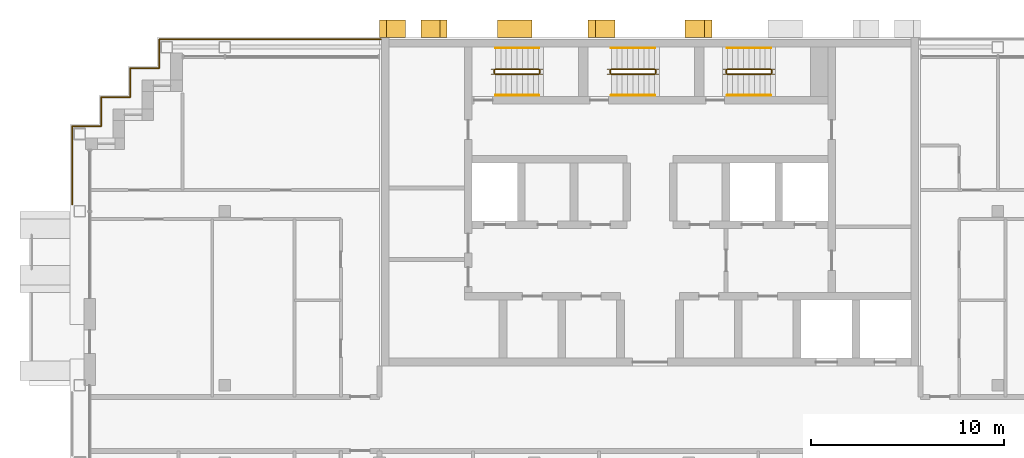
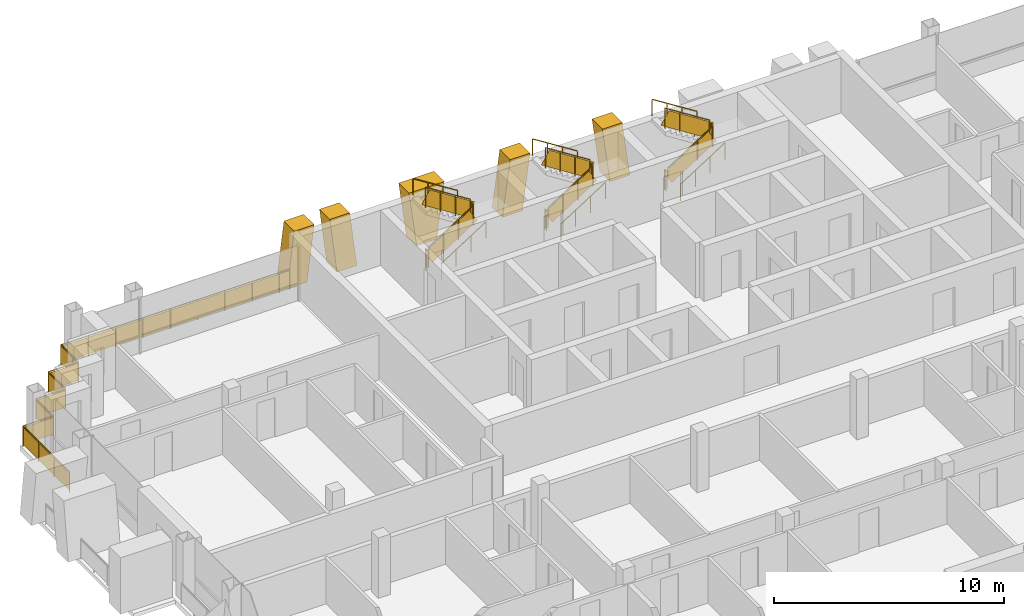
# One storey, part 15 of 16: 21 railings, 5 shading devices.
"""IFC4 building model written with IfcOpenShell, lengths in metres."""

from ifc_helpers import new_model, si_unit, direction, frame, origin, origin_2d, place, context, subcontext, project, spatial, polyline, rectangle, circle, outline, extrude, material, layer, layer_set, type_object, element, save


model = new_model("IFC4")

# Units and contexts
model_context = context("Model", 3, precision=1e-05, world=origin(), true_north=direction((0.0, 1.0)))
body_context = subcontext(model_context, "Body", "Model", "MODEL_VIEW")
ifc_project = project(units=[si_unit("LENGTHUNIT", "METRE"), si_unit("AREAUNIT", "SQUARE_METRE"), si_unit("VOLUMEUNIT", "CUBIC_METRE"), si_unit("PLANEANGLEUNIT", "RADIAN"), si_unit("MASSUNIT", "GRAM", prefix="KILO")], contexts=[model_context])

# Site, building, storey
site_placement = place(None, origin())
site = spatial("IfcSite", under=ifc_project, at=site_placement, CompositionType="ELEMENT")
building_placement = place(site_placement, origin())
building = spatial("IfcBuilding", under=site, at=building_placement, Name="Vidyagriha Tower", CompositionType="ELEMENT")
storey_placement = place(building_placement, frame((0.0, 0.0, 207.60009765625)))
storey = spatial("IfcBuildingStorey", under=building, at=storey_placement, Name="L53", CompositionType="ELEMENT", Elevation=207.60009765625)

# Shading devices
ifc_material_1 = material(Name="Precast concrete C40/50 with brick facing", Category="concrete")
ifc_layer_1 = layer(ifc_material_1, 1.0)
ifc_layer_set_1 = layer_set([ifc_layer_1], Name="Precast concrete C40/50 with brick facing")
shading_device_type_1 = type_object("IfcShadingDeviceType", Name="Brick-faced rear rib arm leaning 8 degrees", PredefinedType="USERDEFINED", material=ifc_layer_set_1)
shading_device_1_placement = place(storey_placement, frame((3.199951171875, 20.449951171875, 0.0), z_axis=(0.0, 0.0, 1.0), x_axis=(-1.0, 0.0, 0.0)))
element("IfcShadingDevice", 1, at=shading_device_1_placement, inside=storey, type_object=shading_device_type_1, Name="Rear rib arm L53 R08.3a", ObjectType="BLADE FIN", PredefinedType="USERDEFINED", context=body_context, shape_type="SweptSolid", body=[
    extrude(outline(polyline([(0.0, 0.0), (1.0, 0.0), (1.3857421875, 2.919921875), (0.3857421875, 2.919921875), (0.0, 0.0)])), frame((0.0, 0.449951171875, 0.0), z_axis=(0.0, -1.0, 0.0), x_axis=(1.0, 0.0, 0.0)), (0.0, 0.0, 1.0), 0.89990234375),
])
shading_device_2_placement = place(storey_placement, frame((-1.814208984375, 20.449951171875, 0.0), z_axis=(0.0, 0.0, 1.0), x_axis=(-1.0, 0.0, 0.0)))
element("IfcShadingDevice", 2, at=shading_device_2_placement, inside=storey, type_object=shading_device_type_1, Name="Rear rib arm L53 R08.3b", ObjectType="BLADE FIN", PredefinedType="USERDEFINED", context=body_context, shape_type="SweptSolid", body=[
    extrude(outline(polyline([(0.3857421875, 0.0), (1.3857421875, 0.0), (1.0, 2.919921875), (0.0, 2.919921875), (0.3857421875, 0.0)])), frame((0.0, 0.449951171875, 0.0), z_axis=(0.0, -1.0, 0.0), x_axis=(1.0, 0.0, 0.0)), (0.0, 0.0, 1.0), 0.89990234375),
])
shading_device_3_placement = place(storey_placement, frame((-10.5, 20.449951171875, 0.0), z_axis=(0.0, 0.0, 1.0), x_axis=(-1.0, 0.0, 0.0)))
element("IfcShadingDevice", 3, at=shading_device_3_placement, inside=storey, type_object=shading_device_type_1, Name="Rear rib arm L53 R08.5a", ObjectType="BLADE FIN", PredefinedType="USERDEFINED", context=body_context, shape_type="SweptSolid", body=[
    extrude(outline(polyline([(0.0, 0.0), (1.0, 0.0), (1.357177734375, 2.919921875), (0.357177734375, 2.919921875), (0.0, 0.0)])), frame((0.0, 0.449951171875, 0.0), z_axis=(0.0, -1.0, 0.0), x_axis=(1.0, 0.0, 0.0)), (0.0, 0.0, 1.0), 0.89990234375),
])
shading_device_4_placement = place(storey_placement, frame((-12.642822265625, 20.449951171875, 0.0), z_axis=(0.0, 0.0, 1.0), x_axis=(-1.0, 0.0, 0.0)))
element("IfcShadingDevice", 4, at=shading_device_4_placement, inside=storey, type_object=shading_device_type_1, Name="Rear rib arm L53 R08.5b", ObjectType="BLADE FIN", PredefinedType="USERDEFINED", context=body_context, shape_type="SweptSolid", body=[
    extrude(outline(polyline([(0.357177734375, 0.0), (1.357177734375, 0.0), (1.0, 2.919921875), (0.0, 2.919921875), (0.357177734375, 0.0)])), frame((0.0, 0.449951171875, 0.0), z_axis=(0.0, -1.0, 0.0), x_axis=(1.0, 0.0, 0.0)), (0.0, 0.0, 1.0), 0.89990234375),
])
ifc_material_2 = material(Name="Precast concrete C40/50 with brick facing", Category="concrete")
ifc_layer_2 = layer(ifc_material_2, 1.0)
ifc_layer_set_2 = layer_set([ifc_layer_2], Name="Precast concrete C40/50 with brick facing")
shading_device_type_2 = type_object("IfcShadingDeviceType", Name="Brick-faced rear rib forking 8 degrees", PredefinedType="USERDEFINED", material=ifc_layer_set_2)
shading_device_5_placement = place(storey_placement, frame((-6.1142578125, 20.449951171875, 0.0), z_axis=(0.0, 0.0, 1.0), x_axis=(-1.0, 0.0, 0.0)))
element("IfcShadingDevice", 5, at=shading_device_5_placement, inside=storey, type_object=shading_device_type_2, Name="Rear rib fork L53 R08.4a", ObjectType="BLADE FIN", PredefinedType="USERDEFINED", context=body_context, shape_type="SweptSolid", body=[
    extrude(outline(polyline([(0.3857421875, 0.0), (1.3857421875, 0.0), (1.771484375, 2.919921875), (0.0, 2.919921875), (0.3857421875, 0.0)])), frame((0.0, 0.449951171875, 0.0), z_axis=(0.0, -1.0, 0.0), x_axis=(1.0, 0.0, 0.0)), (0.0, 0.0, 1.0), 0.89990234375),
])

# Railings
ifc_material_3 = material(Name="Steel ASTM A500 Grade C black painted", Category="steel")
railing_type_1 = type_object("IfcRailingType", Name="Gallery guard 1100", PredefinedType="GUARDRAIL", material=ifc_material_3)
railing_1_placement = place(storey_placement, frame((-29.89990234375, 11.360107421875, 0.0)))
element("IfcRailing", 6, at=railing_1_placement, inside=storey, type_object=railing_type_1, Name="Gallery guard L53 4", PredefinedType="GUARDRAIL", context=body_context, shape_type="SweptSolid", body=[
    extrude(circle(Radius=0.02490234375, at=origin_2d()), frame((0.0, 0.0, 1.0751953125), z_axis=(0.0, 1.0, 0.0), x_axis=(-1.0, 0.0, 0.0)), (0.0, 0.0, 1.0), 4.039794921875),
    extrude(circle(Radius=0.02490234375, at=origin_2d()), frame((0.0, 4.039794921875, 1.0751953125), z_axis=(1.0, 0.0, 0.0), x_axis=(0.0, 1.0, 0.0)), (0.0, 0.0, 1.0), 1.5),
    extrude(circle(Radius=0.02490234375, at=origin_2d()), frame((1.5, 4.039794921875, 1.0751953125), z_axis=(0.0, 1.0, 0.0), x_axis=(-1.0, 0.0, 0.0)), (0.0, 0.0, 1.0), 1.5),
    extrude(circle(Radius=0.02490234375, at=origin_2d()), frame((1.5, 5.539794921875, 1.0751953125), z_axis=(1.0, 0.0, 0.0), x_axis=(0.0, 1.0, 0.0)), (0.0, 0.0, 1.0), 1.5),
    extrude(circle(Radius=0.02490234375, at=origin_2d()), frame((3.0, 5.539794921875, 1.0751953125), z_axis=(0.0, 1.0, 0.0), x_axis=(-1.0, 0.0, 0.0)), (0.0, 0.0, 1.0), 1.5),
    extrude(circle(Radius=0.02490234375, at=origin_2d()), frame((3.0, 7.039794921875, 1.0751953125), z_axis=(1.0, 0.0, 0.0), x_axis=(0.0, 1.0, 0.0)), (0.0, 0.0, 1.0), 1.5),
    extrude(circle(Radius=0.02490234375, at=origin_2d()), frame((4.5, 7.039794921875, 1.0751953125), z_axis=(0.0, 1.0, 0.0), x_axis=(-1.0, 0.0, 0.0)), (0.0, 0.0, 1.0), 0.460205078125),
    extrude(circle(Radius=0.02001953125, at=origin_2d()), origin(), (0.0, 0.0, 1.0), 1.050048828125),
    extrude(circle(Radius=0.02001953125, at=origin_2d()), frame((0.0, 1.3466796875, 0.0)), (0.0, 0.0, 1.0), 1.050048828125),
    extrude(circle(Radius=0.02001953125, at=origin_2d()), frame((0.0, 2.693115234375, 0.0)), (0.0, 0.0, 1.0), 1.050048828125),
    extrude(circle(Radius=0.02001953125, at=origin_2d()), frame((0.0, 4.039794921875, 0.0)), (0.0, 0.0, 1.0), 1.050048828125),
    extrude(circle(Radius=0.02001953125, at=origin_2d()), frame((1.5, 4.039794921875, 0.0)), (0.0, 0.0, 1.0), 1.050048828125),
    extrude(circle(Radius=0.02001953125, at=origin_2d()), frame((1.5, 5.539794921875, 0.0)), (0.0, 0.0, 1.0), 1.050048828125),
    extrude(circle(Radius=0.02001953125, at=origin_2d()), frame((3.0, 5.539794921875, 0.0)), (0.0, 0.0, 1.0), 1.050048828125),
    extrude(circle(Radius=0.02001953125, at=origin_2d()), frame((3.0, 7.039794921875, 0.0)), (0.0, 0.0, 1.0), 1.050048828125),
    extrude(circle(Radius=0.02001953125, at=origin_2d()), frame((4.5, 7.039794921875, 0.0)), (0.0, 0.0, 1.0), 1.050048828125),
    extrude(circle(Radius=0.02001953125, at=origin_2d()), frame((4.5, 7.5, 0.0)), (0.0, 0.0, 1.0), 1.050048828125),
    extrude(rectangle(XDim=0.010009765625, YDim=0.900146484375, at=origin_2d()), frame((0.0, 0.0, 0.550048828125), z_axis=(0.0, 1.0, 0.0), x_axis=(-1.0, 0.0, 0.0)), (0.0, 0.0, 1.0), 4.039794921875),
    extrude(rectangle(XDim=0.010009765625, YDim=0.900146484375, at=origin_2d()), frame((0.0, 4.039794921875, 0.550048828125), z_axis=(1.0, 0.0, 0.0), x_axis=(0.0, 1.0, 0.0)), (0.0, 0.0, 1.0), 1.5),
    extrude(rectangle(XDim=0.010009765625, YDim=0.900146484375, at=origin_2d()), frame((1.5, 4.039794921875, 0.550048828125), z_axis=(0.0, 1.0, 0.0), x_axis=(-1.0, 0.0, 0.0)), (0.0, 0.0, 1.0), 1.5),
    extrude(rectangle(XDim=0.010009765625, YDim=0.900146484375, at=origin_2d()), frame((1.5, 5.539794921875, 0.550048828125), z_axis=(1.0, 0.0, 0.0), x_axis=(0.0, 1.0, 0.0)), (0.0, 0.0, 1.0), 1.5),
    extrude(rectangle(XDim=0.010009765625, YDim=0.900146484375, at=origin_2d()), frame((3.0, 5.539794921875, 0.550048828125), z_axis=(0.0, 1.0, 0.0), x_axis=(-1.0, 0.0, 0.0)), (0.0, 0.0, 1.0), 1.5),
    extrude(rectangle(XDim=0.010009765625, YDim=0.900146484375, at=origin_2d()), frame((3.0, 7.039794921875, 0.550048828125), z_axis=(1.0, 0.0, 0.0), x_axis=(0.0, 1.0, 0.0)), (0.0, 0.0, 1.0), 1.5),
    extrude(rectangle(XDim=0.010009765625, YDim=0.900146484375, at=origin_2d()), frame((4.5, 7.039794921875, 0.550048828125), z_axis=(0.0, 1.0, 0.0), x_axis=(-1.0, 0.0, 0.0)), (0.0, 0.0, 1.0), 0.460205078125),
])
railing_2_placement = place(storey_placement, frame((-25.39990234375, 18.860107421875, 0.0)))
element("IfcRailing", 7, at=railing_2_placement, inside=storey, type_object=railing_type_1, Name="Gallery guard L53 5", PredefinedType="GUARDRAIL", context=body_context, shape_type="SweptSolid", body=[
    extrude(circle(Radius=0.02490234375, at=origin_2d()), frame((0.0, 0.0, 1.0751953125), z_axis=(0.0, 1.0, 0.0), x_axis=(-1.0, 0.0, 0.0)), (0.0, 0.0, 1.0), 1.039794921875),
    extrude(circle(Radius=0.02490234375, at=origin_2d()), frame((0.0, 1.039794921875, 1.0751953125), z_axis=(1.0, 0.0, 0.0), x_axis=(0.0, 1.0, 0.0)), (0.0, 0.0, 1.0), 10.9599609375),
    extrude(circle(Radius=0.02001953125, at=origin_2d()), origin(), (0.0, 0.0, 1.0), 1.050048828125),
    extrude(circle(Radius=0.02001953125, at=origin_2d()), frame((0.0, 1.039794921875, 0.0)), (0.0, 0.0, 1.0), 1.050048828125),
    extrude(circle(Radius=0.02001953125, at=origin_2d()), frame((1.3701171875, 1.039794921875, 0.0)), (0.0, 0.0, 1.0), 1.050048828125),
    extrude(circle(Radius=0.02001953125, at=origin_2d()), frame((2.739990234375, 1.039794921875, 0.0)), (0.0, 0.0, 1.0), 1.050048828125),
    extrude(circle(Radius=0.02001953125, at=origin_2d()), frame((4.10986328125, 1.039794921875, 0.0)), (0.0, 0.0, 1.0), 1.050048828125),
    extrude(circle(Radius=0.02001953125, at=origin_2d()), frame((5.47998046875, 1.039794921875, 0.0)), (0.0, 0.0, 1.0), 1.050048828125),
    extrude(circle(Radius=0.02001953125, at=origin_2d()), frame((6.85009765625, 1.039794921875, 0.0)), (0.0, 0.0, 1.0), 1.050048828125),
    extrude(circle(Radius=0.02001953125, at=origin_2d()), frame((8.219970703125, 1.039794921875, 0.0)), (0.0, 0.0, 1.0), 1.050048828125),
    extrude(circle(Radius=0.02001953125, at=origin_2d()), frame((9.58984375, 1.039794921875, 0.0)), (0.0, 0.0, 1.0), 1.050048828125),
    extrude(circle(Radius=0.02001953125, at=origin_2d()), frame((10.9599609375, 1.039794921875, 0.0)), (0.0, 0.0, 1.0), 1.050048828125),
    extrude(rectangle(XDim=0.010009765625, YDim=0.900146484375, at=origin_2d()), frame((0.0, 0.0, 0.550048828125), z_axis=(0.0, 1.0, 0.0), x_axis=(-1.0, 0.0, 0.0)), (0.0, 0.0, 1.0), 1.039794921875),
    extrude(rectangle(XDim=0.010009765625, YDim=0.900146484375, at=origin_2d()), frame((0.0, 1.039794921875, 0.550048828125), z_axis=(1.0, 0.0, 0.0), x_axis=(0.0, 1.0, 0.0)), (0.0, 0.0, 1.0), 10.9599609375),
])
railing_3_placement = place(storey_placement, frame((-14.43994140625, 19.89990234375, 0.0)))
element("IfcRailing", 8, at=railing_3_placement, inside=storey, type_object=railing_type_1, Name="Gallery guard L53 6", PredefinedType="GUARDRAIL", context=body_context, shape_type="SweptSolid", body=[
    extrude(circle(Radius=0.02490234375, at=origin_2d()), frame((0.0, 0.0, 1.0751953125), z_axis=(1.0, 0.0, 0.0), x_axis=(0.0, 1.0, 0.0)), (0.0, 0.0, 1.0), 0.510009765625),
    extrude(circle(Radius=0.02001953125, at=origin_2d()), origin(), (0.0, 0.0, 1.0), 1.050048828125),
    extrude(circle(Radius=0.02001953125, at=origin_2d()), frame((0.510009765625, 0.0, 0.0)), (0.0, 0.0, 1.0), 1.050048828125),
    extrude(rectangle(XDim=0.010009765625, YDim=0.900146484375, at=origin_2d()), frame((0.0, 0.0, 0.550048828125), z_axis=(1.0, 0.0, 0.0), x_axis=(0.0, 1.0, 0.0)), (0.0, 0.0, 1.0), 0.510009765625),
])
ifc_material_4 = material(Name="Steel ASTM A500 Grade C", Category="steel")
railing_type_2 = type_object("IfcRailingType", Name="Stair guard 1100 mm, steel balustrade", PredefinedType="GUARDRAIL", material=ifc_material_4)
railing_4_placement = place(storey_placement, frame((-8.0, 18.10009765625, 0.177734375)))
element("IfcRailing", 9, at=railing_4_placement, inside=storey, type_object=railing_type_2, Name="L53 ST1 stair guard 1", PredefinedType="GUARDRAIL", context=body_context, shape_type="SweptSolid", body=[
    extrude(circle(Radius=0.02392578125, at=origin_2d()), frame((0.0, 0.0, 1.076171875), z_axis=(0.8442293374, 0.0, 0.53598211339), x_axis=(0.0, 1.0, 0.0)), (0.0, 0.0, 1.0), 2.6533203125),
    extrude(circle(Radius=0.02099609375, at=origin_2d()), origin(), (0.0, 0.0, 1.0), 1.052001953125),
    extrude(circle(Radius=0.02099609375, at=origin_2d()), frame((0.74658203125, 0.0, 0.47412109375)), (0.0, 0.0, 1.0), 1.052001953125),
    extrude(circle(Radius=0.02099609375, at=origin_2d()), frame((1.493408203125, 0.0, 0.947998046875)), (0.0, 0.0, 1.0), 1.052001953125),
    extrude(circle(Radius=0.02099609375, at=origin_2d()), frame((2.239990234375, 0.0, 1.422119140625)), (0.0, 0.0, 1.0), 1.052001953125),
    extrude(rectangle(XDim=0.010009765625, YDim=0.761474609375, at=origin_2d()), frame((0.0, 0.0, 0.551025390625), z_axis=(0.8442293374, 0.0, 0.53598211339), x_axis=(0.0, 1.0, 0.0)), (0.0, 0.0, 1.0), 2.6533203125),
])
railing_5_placement = place(storey_placement, frame((-5.7099609375, 18.14990234375, 1.599853515625)))
element("IfcRailing", 10, at=railing_5_placement, inside=storey, type_object=railing_type_2, Name="L53 ST1 stair guard 2", PredefinedType="GUARDRAIL", context=body_context, shape_type="SweptSolid", body=[
    extrude(circle(Radius=0.02392578125, at=origin_2d()), frame((0.0, 0.0, 1.076171875), z_axis=(0.0, 1.0, 0.0), x_axis=(-1.0, 0.0, 0.0)), (0.0, 0.0, 1.0), 0.150146484375),
    extrude(circle(Radius=0.02099609375, at=origin_2d()), origin(), (0.0, 0.0, 1.0), 1.052001953125),
    extrude(circle(Radius=0.02099609375, at=origin_2d()), frame((0.0, 0.150146484375, 0.0)), (0.0, 0.0, 1.0), 1.052001953125),
    extrude(rectangle(XDim=0.010009765625, YDim=0.902099609375, at=origin_2d()), frame((0.0, 0.0, 0.551025390625), z_axis=(0.0, 1.0, 0.0), x_axis=(-1.0, 0.0, 0.0)), (0.0, 0.0, 1.0), 0.150146484375),
])
railing_6_placement = place(storey_placement, frame((-5.760009765625, 18.35009765625, 1.777587890625)))
element("IfcRailing", 11, at=railing_6_placement, inside=storey, type_object=railing_type_2, Name="L53 ST1 stair guard 3", PredefinedType="GUARDRAIL", context=body_context, shape_type="SweptSolid", body=[
    extrude(circle(Radius=0.02392578125, at=origin_2d()), frame((0.0, 0.0, 1.076171875), z_axis=(-0.84418770128, 0.0, 0.536047689118), x_axis=(0.0, -1.0, 0.0)), (0.0, 0.0, 1.0), 2.6533203125),
    extrude(circle(Radius=0.02099609375, at=origin_2d()), origin(), (0.0, 0.0, 1.0), 1.052001953125),
    extrude(circle(Radius=0.02099609375, at=origin_2d()), frame((-0.74658203125, 0.0, 0.47412109375)), (0.0, 0.0, 1.0), 1.052001953125),
    extrude(circle(Radius=0.02099609375, at=origin_2d()), frame((-1.493408203125, 0.0, 0.9482421875)), (0.0, 0.0, 1.0), 1.052001953125),
    extrude(circle(Radius=0.02099609375, at=origin_2d()), frame((-2.239990234375, 0.0, 1.42236328125)), (0.0, 0.0, 1.0), 1.052001953125),
    extrude(rectangle(XDim=0.010009765625, YDim=0.761474609375, at=origin_2d()), frame((0.0, 0.0, 0.551025390625), z_axis=(-0.84418770128, 0.0, 0.536047689118), x_axis=(0.0, -1.0, 0.0)), (0.0, 0.0, 1.0), 2.6533203125),
])
railing_7_placement = place(storey_placement, frame((-8.050048828125, 18.14990234375, 0.0)))
element("IfcRailing", 12, at=railing_7_placement, inside=storey, type_object=railing_type_2, Name="L53 ST1 stair guard 4", PredefinedType="GUARDRAIL", context=body_context, shape_type="SweptSolid", body=[
    extrude(circle(Radius=0.02392578125, at=origin_2d()), frame((0.0, 0.0, 1.076171875), z_axis=(0.0, 1.0, 0.0), x_axis=(-1.0, 0.0, 0.0)), (0.0, 0.0, 1.0), 0.150146484375),
    extrude(circle(Radius=0.02099609375, at=origin_2d()), origin(), (0.0, 0.0, 1.0), 1.052001953125),
    extrude(circle(Radius=0.02099609375, at=origin_2d()), frame((0.0, 0.150146484375, 0.0)), (0.0, 0.0, 1.0), 1.052001953125),
    extrude(rectangle(XDim=0.010009765625, YDim=0.902099609375, at=origin_2d()), frame((0.0, 0.0, 0.551025390625), z_axis=(0.0, 1.0, 0.0), x_axis=(-1.0, 0.0, 0.0)), (0.0, 0.0, 1.0), 0.150146484375),
])
railing_8_placement = place(storey_placement, frame((-2.0, 18.10009765625, 0.177734375)))
element("IfcRailing", 13, at=railing_8_placement, inside=storey, type_object=railing_type_2, Name="L53 ST2 stair guard 1", PredefinedType="GUARDRAIL", context=body_context, shape_type="SweptSolid", body=[
    extrude(circle(Radius=0.02392578125, at=origin_2d()), frame((0.0, 0.0, 1.076171875), z_axis=(0.8442293374, 0.0, 0.53598211339), x_axis=(0.0, 1.0, 0.0)), (0.0, 0.0, 1.0), 2.6533203125),
    extrude(circle(Radius=0.02099609375, at=origin_2d()), origin(), (0.0, 0.0, 1.0), 1.052001953125),
    extrude(circle(Radius=0.02099609375, at=origin_2d()), frame((0.74658203125, 0.0, 0.47412109375)), (0.0, 0.0, 1.0), 1.052001953125),
    extrude(circle(Radius=0.02099609375, at=origin_2d()), frame((1.493408203125, 0.0, 0.947998046875)), (0.0, 0.0, 1.0), 1.052001953125),
    extrude(circle(Radius=0.02099609375, at=origin_2d()), frame((2.239990234375, 0.0, 1.422119140625)), (0.0, 0.0, 1.0), 1.052001953125),
    extrude(rectangle(XDim=0.010009765625, YDim=0.761474609375, at=origin_2d()), frame((0.0, 0.0, 0.551025390625), z_axis=(0.8442293374, 0.0, 0.53598211339), x_axis=(0.0, 1.0, 0.0)), (0.0, 0.0, 1.0), 2.6533203125),
])
railing_9_placement = place(storey_placement, frame((0.2900390625, 18.14990234375, 1.599853515625)))
element("IfcRailing", 14, at=railing_9_placement, inside=storey, type_object=railing_type_2, Name="L53 ST2 stair guard 2", PredefinedType="GUARDRAIL", context=body_context, shape_type="SweptSolid", body=[
    extrude(circle(Radius=0.02392578125, at=origin_2d()), frame((0.0, 0.0, 1.076171875), z_axis=(0.0, 1.0, 0.0), x_axis=(-1.0, 0.0, 0.0)), (0.0, 0.0, 1.0), 0.150146484375),
    extrude(circle(Radius=0.02099609375, at=origin_2d()), origin(), (0.0, 0.0, 1.0), 1.052001953125),
    extrude(circle(Radius=0.02099609375, at=origin_2d()), frame((0.0, 0.150146484375, 0.0)), (0.0, 0.0, 1.0), 1.052001953125),
    extrude(rectangle(XDim=0.010009765625, YDim=0.902099609375, at=origin_2d()), frame((0.0, 0.0, 0.551025390625), z_axis=(0.0, 1.0, 0.0), x_axis=(-1.0, 0.0, 0.0)), (0.0, 0.0, 1.0), 0.150146484375),
])
railing_10_placement = place(storey_placement, frame((0.239990234375, 18.35009765625, 1.777587890625)))
element("IfcRailing", 15, at=railing_10_placement, inside=storey, type_object=railing_type_2, Name="L53 ST2 stair guard 3", PredefinedType="GUARDRAIL", context=body_context, shape_type="SweptSolid", body=[
    extrude(circle(Radius=0.02392578125, at=origin_2d()), frame((0.0, 0.0, 1.076171875), z_axis=(-0.84418770128, 0.0, 0.536047689118), x_axis=(0.0, -1.0, 0.0)), (0.0, 0.0, 1.0), 2.6533203125),
    extrude(circle(Radius=0.02099609375, at=origin_2d()), origin(), (0.0, 0.0, 1.0), 1.052001953125),
    extrude(circle(Radius=0.02099609375, at=origin_2d()), frame((-0.74658203125, 0.0, 0.47412109375)), (0.0, 0.0, 1.0), 1.052001953125),
    extrude(circle(Radius=0.02099609375, at=origin_2d()), frame((-1.493408203125, 0.0, 0.9482421875)), (0.0, 0.0, 1.0), 1.052001953125),
    extrude(circle(Radius=0.02099609375, at=origin_2d()), frame((-2.239990234375, 0.0, 1.42236328125)), (0.0, 0.0, 1.0), 1.052001953125),
    extrude(rectangle(XDim=0.010009765625, YDim=0.761474609375, at=origin_2d()), frame((0.0, 0.0, 0.551025390625), z_axis=(-0.84418770128, 0.0, 0.536047689118), x_axis=(0.0, -1.0, 0.0)), (0.0, 0.0, 1.0), 2.6533203125),
])
railing_11_placement = place(storey_placement, frame((-2.050048828125, 18.14990234375, 0.0)))
element("IfcRailing", 16, at=railing_11_placement, inside=storey, type_object=railing_type_2, Name="L53 ST2 stair guard 4", PredefinedType="GUARDRAIL", context=body_context, shape_type="SweptSolid", body=[
    extrude(circle(Radius=0.02392578125, at=origin_2d()), frame((0.0, 0.0, 1.076171875), z_axis=(0.0, 1.0, 0.0), x_axis=(-1.0, 0.0, 0.0)), (0.0, 0.0, 1.0), 0.150146484375),
    extrude(circle(Radius=0.02099609375, at=origin_2d()), origin(), (0.0, 0.0, 1.0), 1.052001953125),
    extrude(circle(Radius=0.02099609375, at=origin_2d()), frame((0.0, 0.150146484375, 0.0)), (0.0, 0.0, 1.0), 1.052001953125),
    extrude(rectangle(XDim=0.010009765625, YDim=0.902099609375, at=origin_2d()), frame((0.0, 0.0, 0.551025390625), z_axis=(0.0, 1.0, 0.0), x_axis=(-1.0, 0.0, 0.0)), (0.0, 0.0, 1.0), 0.150146484375),
])
railing_12_placement = place(storey_placement, frame((4.0, 18.10009765625, 0.177734375)))
element("IfcRailing", 17, at=railing_12_placement, inside=storey, type_object=railing_type_2, Name="L53 ST3 stair guard 1", PredefinedType="GUARDRAIL", context=body_context, shape_type="SweptSolid", body=[
    extrude(circle(Radius=0.02392578125, at=origin_2d()), frame((0.0, 0.0, 1.076171875), z_axis=(0.8442293374, 0.0, 0.53598211339), x_axis=(0.0, 1.0, 0.0)), (0.0, 0.0, 1.0), 2.6533203125),
    extrude(circle(Radius=0.02099609375, at=origin_2d()), origin(), (0.0, 0.0, 1.0), 1.052001953125),
    extrude(circle(Radius=0.02099609375, at=origin_2d()), frame((0.74658203125, 0.0, 0.47412109375)), (0.0, 0.0, 1.0), 1.052001953125),
    extrude(circle(Radius=0.02099609375, at=origin_2d()), frame((1.493408203125, 0.0, 0.947998046875)), (0.0, 0.0, 1.0), 1.052001953125),
    extrude(circle(Radius=0.02099609375, at=origin_2d()), frame((2.239990234375, 0.0, 1.422119140625)), (0.0, 0.0, 1.0), 1.052001953125),
    extrude(rectangle(XDim=0.010009765625, YDim=0.761474609375, at=origin_2d()), frame((0.0, 0.0, 0.551025390625), z_axis=(0.8442293374, 0.0, 0.53598211339), x_axis=(0.0, 1.0, 0.0)), (0.0, 0.0, 1.0), 2.6533203125),
])
railing_13_placement = place(storey_placement, frame((6.2900390625, 18.14990234375, 1.599853515625)))
element("IfcRailing", 18, at=railing_13_placement, inside=storey, type_object=railing_type_2, Name="L53 ST3 stair guard 2", PredefinedType="GUARDRAIL", context=body_context, shape_type="SweptSolid", body=[
    extrude(circle(Radius=0.02392578125, at=origin_2d()), frame((0.0, 0.0, 1.076171875), z_axis=(0.0, 1.0, 0.0), x_axis=(-1.0, 0.0, 0.0)), (0.0, 0.0, 1.0), 0.150146484375),
    extrude(circle(Radius=0.02099609375, at=origin_2d()), origin(), (0.0, 0.0, 1.0), 1.052001953125),
    extrude(circle(Radius=0.02099609375, at=origin_2d()), frame((0.0, 0.150146484375, 0.0)), (0.0, 0.0, 1.0), 1.052001953125),
    extrude(rectangle(XDim=0.010009765625, YDim=0.902099609375, at=origin_2d()), frame((0.0, 0.0, 0.551025390625), z_axis=(0.0, 1.0, 0.0), x_axis=(-1.0, 0.0, 0.0)), (0.0, 0.0, 1.0), 0.150146484375),
])
railing_14_placement = place(storey_placement, frame((6.239990234375, 18.35009765625, 1.777587890625)))
element("IfcRailing", 19, at=railing_14_placement, inside=storey, type_object=railing_type_2, Name="L53 ST3 stair guard 3", PredefinedType="GUARDRAIL", context=body_context, shape_type="SweptSolid", body=[
    extrude(circle(Radius=0.02392578125, at=origin_2d()), frame((0.0, 0.0, 1.076171875), z_axis=(-0.84418770128, 0.0, 0.536047689118), x_axis=(0.0, -1.0, 0.0)), (0.0, 0.0, 1.0), 2.6533203125),
    extrude(circle(Radius=0.02099609375, at=origin_2d()), origin(), (0.0, 0.0, 1.0), 1.052001953125),
    extrude(circle(Radius=0.02099609375, at=origin_2d()), frame((-0.74658203125, 0.0, 0.47412109375)), (0.0, 0.0, 1.0), 1.052001953125),
    extrude(circle(Radius=0.02099609375, at=origin_2d()), frame((-1.493408203125, 0.0, 0.9482421875)), (0.0, 0.0, 1.0), 1.052001953125),
    extrude(circle(Radius=0.02099609375, at=origin_2d()), frame((-2.239990234375, 0.0, 1.42236328125)), (0.0, 0.0, 1.0), 1.052001953125),
    extrude(rectangle(XDim=0.010009765625, YDim=0.761474609375, at=origin_2d()), frame((0.0, 0.0, 0.551025390625), z_axis=(-0.84418770128, 0.0, 0.536047689118), x_axis=(0.0, -1.0, 0.0)), (0.0, 0.0, 1.0), 2.6533203125),
])
railing_15_placement = place(storey_placement, frame((3.949951171875, 18.14990234375, 0.0)))
element("IfcRailing", 20, at=railing_15_placement, inside=storey, type_object=railing_type_2, Name="L53 ST3 stair guard 4", PredefinedType="GUARDRAIL", context=body_context, shape_type="SweptSolid", body=[
    extrude(circle(Radius=0.02392578125, at=origin_2d()), frame((0.0, 0.0, 1.076171875), z_axis=(0.0, 1.0, 0.0), x_axis=(-1.0, 0.0, 0.0)), (0.0, 0.0, 1.0), 0.150146484375),
    extrude(circle(Radius=0.02099609375, at=origin_2d()), origin(), (0.0, 0.0, 1.0), 1.052001953125),
    extrude(circle(Radius=0.02099609375, at=origin_2d()), frame((0.0, 0.150146484375, 0.0)), (0.0, 0.0, 1.0), 1.052001953125),
    extrude(rectangle(XDim=0.010009765625, YDim=0.902099609375, at=origin_2d()), frame((0.0, 0.0, 0.551025390625), z_axis=(0.0, 1.0, 0.0), x_axis=(-1.0, 0.0, 0.0)), (0.0, 0.0, 1.0), 0.150146484375),
])
ifc_material_5 = material(Name="Steel ASTM A500 Grade C", Category="steel")
railing_type_3 = type_object("IfcRailingType", Name="Stair handrail 900 mm, steel", PredefinedType="HANDRAIL", material=ifc_material_5)
railing_16_placement = place(storey_placement, frame((-8.0, 17.0, 0.177734375)))
element("IfcRailing", 21, at=railing_16_placement, inside=storey, type_object=railing_type_3, Name="L53 ST1 stair handrail 1", PredefinedType="HANDRAIL", context=body_context, shape_type="SweptSolid", body=[
    extrude(circle(Radius=0.02392578125, at=origin_2d()), frame((0.0, 0.0, 0.8759765625), z_axis=(0.8442293374, 0.0, 0.53598211339), x_axis=(0.0, 1.0, 0.0)), (0.0, 0.0, 1.0), 2.6533203125),
    extrude(circle(Radius=0.02099609375, at=origin_2d()), origin(), (0.0, 0.0, 1.0), 0.851806640625),
    extrude(circle(Radius=0.02099609375, at=origin_2d()), frame((0.74658203125, 0.0, 0.47412109375)), (0.0, 0.0, 1.0), 0.851806640625),
    extrude(circle(Radius=0.02099609375, at=origin_2d()), frame((1.493408203125, 0.0, 0.947998046875)), (0.0, 0.0, 1.0), 0.851806640625),
    extrude(circle(Radius=0.02099609375, at=origin_2d()), frame((2.239990234375, 0.0, 1.422119140625)), (0.0, 0.0, 1.0), 0.851806640625),
])
railing_17_placement = place(storey_placement, frame((-5.760009765625, 19.449951171875, 1.777587890625)))
element("IfcRailing", 22, at=railing_17_placement, inside=storey, type_object=railing_type_3, Name="L53 ST1 stair handrail 2", PredefinedType="HANDRAIL", context=body_context, shape_type="SweptSolid", body=[
    extrude(circle(Radius=0.02392578125, at=origin_2d()), frame((0.0, 0.0, 0.8759765625), z_axis=(-0.84418770128, 0.0, 0.536047689118), x_axis=(0.0, -1.0, 0.0)), (0.0, 0.0, 1.0), 2.6533203125),
    extrude(circle(Radius=0.02099609375, at=origin_2d()), origin(), (0.0, 0.0, 1.0), 0.851806640625),
    extrude(circle(Radius=0.02099609375, at=origin_2d()), frame((-0.74658203125, 0.0, 0.47412109375)), (0.0, 0.0, 1.0), 0.851806640625),
    extrude(circle(Radius=0.02099609375, at=origin_2d()), frame((-1.493408203125, 0.0, 0.9482421875)), (0.0, 0.0, 1.0), 0.851806640625),
    extrude(circle(Radius=0.02099609375, at=origin_2d()), frame((-2.239990234375, 0.0, 1.42236328125)), (0.0, 0.0, 1.0), 0.851806640625),
])
railing_18_placement = place(storey_placement, frame((-2.0, 17.0, 0.177734375)))
element("IfcRailing", 23, at=railing_18_placement, inside=storey, type_object=railing_type_3, Name="L53 ST2 stair handrail 1", PredefinedType="HANDRAIL", context=body_context, shape_type="SweptSolid", body=[
    extrude(circle(Radius=0.02392578125, at=origin_2d()), frame((0.0, 0.0, 0.8759765625), z_axis=(0.8442293374, 0.0, 0.53598211339), x_axis=(0.0, 1.0, 0.0)), (0.0, 0.0, 1.0), 2.6533203125),
    extrude(circle(Radius=0.02099609375, at=origin_2d()), origin(), (0.0, 0.0, 1.0), 0.851806640625),
    extrude(circle(Radius=0.02099609375, at=origin_2d()), frame((0.74658203125, 0.0, 0.47412109375)), (0.0, 0.0, 1.0), 0.851806640625),
    extrude(circle(Radius=0.02099609375, at=origin_2d()), frame((1.493408203125, 0.0, 0.947998046875)), (0.0, 0.0, 1.0), 0.851806640625),
    extrude(circle(Radius=0.02099609375, at=origin_2d()), frame((2.239990234375, 0.0, 1.422119140625)), (0.0, 0.0, 1.0), 0.851806640625),
])
railing_19_placement = place(storey_placement, frame((0.239990234375, 19.449951171875, 1.777587890625)))
element("IfcRailing", 24, at=railing_19_placement, inside=storey, type_object=railing_type_3, Name="L53 ST2 stair handrail 2", PredefinedType="HANDRAIL", context=body_context, shape_type="SweptSolid", body=[
    extrude(circle(Radius=0.02392578125, at=origin_2d()), frame((0.0, 0.0, 0.8759765625), z_axis=(-0.84418770128, 0.0, 0.536047689118), x_axis=(0.0, -1.0, 0.0)), (0.0, 0.0, 1.0), 2.6533203125),
    extrude(circle(Radius=0.02099609375, at=origin_2d()), origin(), (0.0, 0.0, 1.0), 0.851806640625),
    extrude(circle(Radius=0.02099609375, at=origin_2d()), frame((-0.74658203125, 0.0, 0.47412109375)), (0.0, 0.0, 1.0), 0.851806640625),
    extrude(circle(Radius=0.02099609375, at=origin_2d()), frame((-1.493408203125, 0.0, 0.9482421875)), (0.0, 0.0, 1.0), 0.851806640625),
    extrude(circle(Radius=0.02099609375, at=origin_2d()), frame((-2.239990234375, 0.0, 1.42236328125)), (0.0, 0.0, 1.0), 0.851806640625),
])
railing_20_placement = place(storey_placement, frame((4.0, 17.0, 0.177734375)))
element("IfcRailing", 25, at=railing_20_placement, inside=storey, type_object=railing_type_3, Name="L53 ST3 stair handrail 1", PredefinedType="HANDRAIL", context=body_context, shape_type="SweptSolid", body=[
    extrude(circle(Radius=0.02392578125, at=origin_2d()), frame((0.0, 0.0, 0.8759765625), z_axis=(0.8442293374, 0.0, 0.53598211339), x_axis=(0.0, 1.0, 0.0)), (0.0, 0.0, 1.0), 2.6533203125),
    extrude(circle(Radius=0.02099609375, at=origin_2d()), origin(), (0.0, 0.0, 1.0), 0.851806640625),
    extrude(circle(Radius=0.02099609375, at=origin_2d()), frame((0.74658203125, 0.0, 0.47412109375)), (0.0, 0.0, 1.0), 0.851806640625),
    extrude(circle(Radius=0.02099609375, at=origin_2d()), frame((1.493408203125, 0.0, 0.947998046875)), (0.0, 0.0, 1.0), 0.851806640625),
    extrude(circle(Radius=0.02099609375, at=origin_2d()), frame((2.239990234375, 0.0, 1.422119140625)), (0.0, 0.0, 1.0), 0.851806640625),
])
railing_21_placement = place(storey_placement, frame((6.239990234375, 19.449951171875, 1.777587890625)))
element("IfcRailing", 26, at=railing_21_placement, inside=storey, type_object=railing_type_3, Name="L53 ST3 stair handrail 2", PredefinedType="HANDRAIL", context=body_context, shape_type="SweptSolid", body=[
    extrude(circle(Radius=0.02392578125, at=origin_2d()), frame((0.0, 0.0, 0.8759765625), z_axis=(-0.84418770128, 0.0, 0.536047689118), x_axis=(0.0, -1.0, 0.0)), (0.0, 0.0, 1.0), 2.6533203125),
    extrude(circle(Radius=0.02099609375, at=origin_2d()), origin(), (0.0, 0.0, 1.0), 0.851806640625),
    extrude(circle(Radius=0.02099609375, at=origin_2d()), frame((-0.74658203125, 0.0, 0.47412109375)), (0.0, 0.0, 1.0), 0.851806640625),
    extrude(circle(Radius=0.02099609375, at=origin_2d()), frame((-1.493408203125, 0.0, 0.9482421875)), (0.0, 0.0, 1.0), 0.851806640625),
    extrude(circle(Radius=0.02099609375, at=origin_2d()), frame((-2.239990234375, 0.0, 1.42236328125)), (0.0, 0.0, 1.0), 0.851806640625),
])

save(model, "model.ifc")
